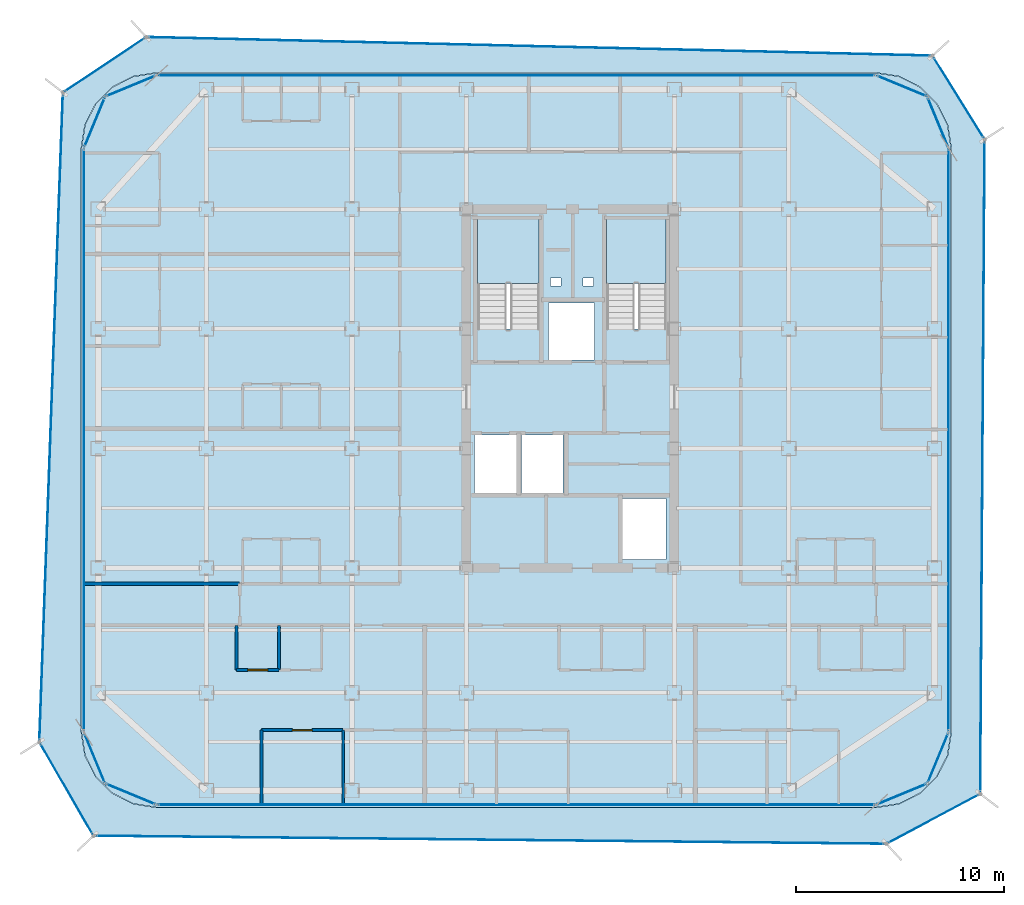
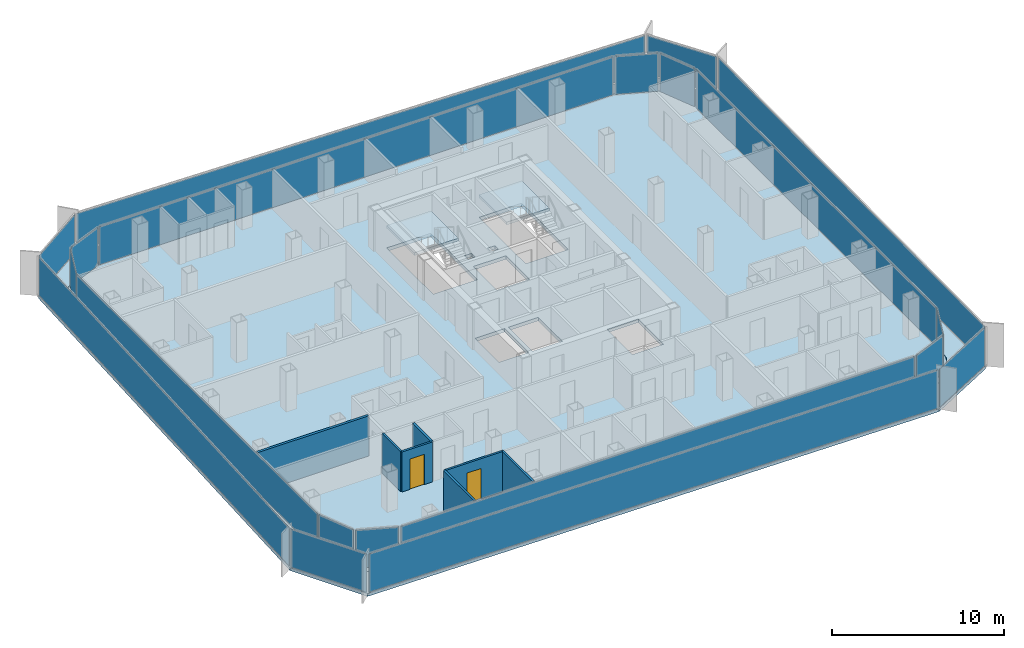
# One storey, part 9 of 16: 20 plates, 7 walls, 4 slabs, 2 doors, 2 openings, 22 elements without a shape of their own.
"""IFC4 building model written with IfcOpenShell, lengths in metres."""

from ifc_helpers import new_model, si_unit, direction, frame, frame_2d, origin, origin_2d, place, context, subcontext, project, spatial, polyline, rectangle, outline, extrude, source, transform, mapped, material, layer, layer_set, type_object, element, fill, aggregate, save


model = new_model("IFC4")

# Units and contexts
model_context = context("Model", 3, precision=1e-05, world=origin(), true_north=direction((0.0, 1.0)))
body_context = subcontext(model_context, "Body", "Model", "MODEL_VIEW")
ifc_project = project(units=[si_unit("LENGTHUNIT", "METRE"), si_unit("AREAUNIT", "SQUARE_METRE"), si_unit("VOLUMEUNIT", "CUBIC_METRE"), si_unit("PLANEANGLEUNIT", "RADIAN"), si_unit("MASSUNIT", "GRAM", prefix="KILO")], contexts=[model_context])

# Site, building, storey
site_placement = place(None, origin())
site = spatial("IfcSite", under=ifc_project, at=site_placement, CompositionType="ELEMENT")
building_placement = place(site_placement, origin())
building = spatial("IfcBuilding", under=site, at=building_placement, Name="Kolveth Station Tower", CompositionType="ELEMENT")
storey_placement = place(building_placement, frame((0.0, 0.0, 212.39990234375)))
storey = spatial("IfcBuildingStorey", under=building, at=storey_placement, Name="L60", CompositionType="ELEMENT", Elevation=212.39990234375)

# Slab
ifc_material_1 = material(Name="Concrete C40/50", Category="concrete")
ifc_layer_1 = layer(ifc_material_1, 0.25)
ifc_layer_set_1 = layer_set([ifc_layer_1], Name="Concrete C40/50")
slab_type_1 = type_object("IfcSlabType", Name="Slab_SF-250", PredefinedType="FLOOR", material=ifc_layer_set_1)
slab_1_placement = place(storey_placement, frame((0.0, 0.0, -0.25)))
element("IfcSlab", 1, at=slab_1_placement, inside=storey, type_object=slab_type_1, Name="L60 Tower Structural Floor Slab", PredefinedType="FLOOR", context=body_context, shape_type="SweptSolid", body=[
    extrude(outline(polyline([(38.199951171875, 0.0), (39.3125, 0.17626953125), (40.31591796875, 0.6875), (41.112548828125, 1.48388671875), (41.623779296875, 2.487548828125), (41.800048828125, 3.60009765625), (41.800048828125, 31.699951171875), (41.623779296875, 32.8125), (41.112548828125, 33.81591796875), (40.31591796875, 34.612548828125), (39.3125, 35.123779296875), (38.199951171875, 35.300048828125), (3.60009765625, 35.300048828125), (2.487548828125, 35.123779296875), (1.48388671875, 34.612548828125), (0.6875, 33.81591796875), (0.17626953125, 32.8125), (0.0, 31.699951171875), (0.0, 3.60009765625), (0.17626953125, 2.487548828125), (0.6875, 1.48388671875), (1.48388671875, 0.6875), (2.487548828125, 0.17626953125), (3.60009765625, 0.0), (38.199951171875, 0.0)]), holes=[polyline([(19.0400390625, 22.985107421875), (22.0, 22.985107421875), (22.0, 28.39990234375), (19.0400390625, 28.39990234375), (19.0400390625, 22.985107421875)]), polyline([(25.239990234375, 22.985107421875), (28.10009765625, 22.985107421875), (28.10009765625, 28.39990234375), (25.239990234375, 28.39990234375), (25.239990234375, 22.985107421875)]), polyline([(18.89990234375, 15.10009765625), (20.89990234375, 15.10009765625), (20.89990234375, 17.89990234375), (18.89990234375, 17.89990234375), (18.89990234375, 15.10009765625)]), polyline([(21.14990234375, 15.10009765625), (23.14990234375, 15.10009765625), (23.14990234375, 17.89990234375), (21.14990234375, 17.89990234375), (21.14990234375, 15.10009765625)]), polyline([(22.449951171875, 21.5), (24.64990234375, 21.5), (24.64990234375, 24.25), (22.449951171875, 24.25), (22.449951171875, 21.5)]), polyline([(26.0, 11.89990234375), (28.10009765625, 11.89990234375), (28.10009765625, 14.85009765625), (26.0, 14.85009765625), (26.0, 11.89990234375)]), polyline([(22.550048828125, 25.050048828125), (23.050048828125, 25.050048828125), (23.050048828125, 25.449951171875), (22.550048828125, 25.449951171875), (22.550048828125, 25.050048828125)]), polyline([(24.10009765625, 25.050048828125), (24.60009765625, 25.050048828125), (24.60009765625, 25.449951171875), (24.10009765625, 25.449951171875), (24.10009765625, 25.050048828125)])]), origin(), (0.0, 0.0, 1.0), 0.25),
])

# Stair, slab
stair_type_1 = type_object("IfcStairType", Name="Stair_ST2", PredefinedType="HALF_TURN_STAIR", material=ifc_material_1)
stair_1_placement = place(storey_placement, origin())
stair_1 = element("IfcStair", 2, at=stair_1_placement, inside=storey, type_object=stair_type_1, Name="L60 Tower Exit Stair ST2", PredefinedType="HALF_TURN_STAIR")
ifc_layer_2 = layer(ifc_material_1, 0.18994140625)
ifc_layer_set_2 = layer_set([ifc_layer_2], Name="Concrete C40/50")
slab_type_2 = type_object("IfcSlabType", Name="Slab_SL-190", PredefinedType="LANDING", material=ifc_layer_set_2)
slab_2_placement = place(storey_placement, frame((0.0, 0.0, 1.400146484375)))
slab_2 = element("IfcSlab", 3, at=slab_2_placement, type_object=slab_type_2, Name="ST2 landing 1", PredefinedType="LANDING", context=body_context, shape_type="SweptSolid", body=[
    extrude(outline(polyline([(28.10009765625, 25.18994140625), (28.10009765625, 28.39990234375), (25.239990234375, 28.39990234375), (25.239990234375, 25.18994140625), (28.10009765625, 25.18994140625)])), origin(), (0.0, 0.0, 1.0), 0.199951171875),
])
aggregate(stair_1, [slab_2])

stair_type_2 = type_object("IfcStairType", Name="Stair_ST1", PredefinedType="HALF_TURN_STAIR", material=ifc_material_1)
stair_2_placement = place(storey_placement, origin())
stair_2 = element("IfcStair", 4, at=stair_2_placement, inside=storey, type_object=stair_type_2, Name="L60 Tower Exit Stair ST1", PredefinedType="HALF_TURN_STAIR")
ifc_layer_3 = layer(ifc_material_1, 0.205078125)
ifc_layer_set_3 = layer_set([ifc_layer_3], Name="Concrete C40/50")
slab_type_3 = type_object("IfcSlabType", Name="Slab_SL-205", PredefinedType="LANDING", material=ifc_layer_set_3)
slab_3_placement = place(storey_placement, frame((0.0, 0.0, 1.400146484375)))
slab_3 = element("IfcSlab", 5, at=slab_3_placement, type_object=slab_type_3, Name="ST1 landing 1", PredefinedType="LANDING", context=body_context, shape_type="SweptSolid", body=[
    extrude(outline(polyline([(22.0, 25.18994140625), (22.0, 28.39990234375), (19.0400390625, 28.39990234375), (19.0400390625, 25.18994140625), (22.0, 25.18994140625)])), origin(), (0.0, 0.0, 1.0), 0.199951171875),
])
aggregate(stair_2, [slab_3])

# Slab
ifc_layer_4 = layer(ifc_material_1, 0.2099609375)
ifc_layer_set_4 = layer_set([ifc_layer_4], Name="Concrete C40/50")
slab_type_4 = type_object("IfcSlabType", Name="Slab_ST-210", PredefinedType="FLOOR", material=ifc_layer_set_4)
slab_4_placement = place(storey_placement, frame((0.0, 0.0, -0.2099609375)))
element("IfcSlab", 6, at=slab_4_placement, inside=storey, type_object=slab_type_4, Name="L60 Double-Skin Cavity Structural Ledger Ring", PredefinedType="FLOOR", context=body_context, shape_type="SweptSolid", body=[
    extrude(outline(polyline([(0.5791015625, -1.37109375), (-2.02490234375, 3.142822265625), (-0.89111328125, 34.360595703125), (3.1123046875, 37.0234375), (40.9111328125, 36.128662109375), (43.416015625, 32.10595703125), (43.20654296875, 0.643310546875), (38.69189453125, -1.759033203125), (0.5791015625, -1.37109375)]), holes=[polyline([(38.202392578125, -0.014892578125), (39.314697265625, 0.161376953125), (39.3193359375, 0.162841796875), (40.32275390625, 0.674072265625), (40.32666015625, 0.677001953125), (41.123046875, 1.473388671875), (41.1259765625, 1.477294921875), (41.63720703125, 2.480712890625), (41.638671875, 2.485107421875), (41.814697265625, 3.59765625), (41.81494140625, 3.60009765625), (41.81494140625, 31.699951171875), (41.814697265625, 31.702392578125), (41.638671875, 32.814697265625), (41.63720703125, 32.8193359375), (41.1259765625, 33.82275390625), (41.123046875, 33.82666015625), (40.32666015625, 34.623046875), (40.32275390625, 34.6259765625), (39.3193359375, 35.13720703125), (39.314697265625, 35.138671875), (38.202392578125, 35.314697265625), (38.199951171875, 35.31494140625), (3.60009765625, 35.31494140625), (3.59765625, 35.314697265625), (2.485107421875, 35.138671875), (2.480712890625, 35.13720703125), (1.477294921875, 34.6259765625), (1.473388671875, 34.623046875), (0.677001953125, 33.82666015625), (0.674072265625, 33.82275390625), (0.162841796875, 32.8193359375), (0.161376953125, 32.814697265625), (-0.014892578125, 31.702392578125), (-0.014892578125, 31.699951171875), (-0.014892578125, 3.60009765625), (-0.014892578125, 3.59765625), (0.161376953125, 2.485107421875), (0.162841796875, 2.480712890625), (0.674072265625, 1.477294921875), (0.677001953125, 1.473388671875), (1.473388671875, 0.677001953125), (1.477294921875, 0.674072265625), (2.480712890625, 0.162841796875), (2.485107421875, 0.161376953125), (3.59765625, -0.014892578125), (3.60009765625, -0.014892578125), (38.199951171875, -0.014892578125), (38.202392578125, -0.014892578125)])]), origin(), (0.0, 0.0, 1.0), 0.2099609375),
])

# Curtain wall, plate
ifc_material_2 = material(Name="Aluminium 6063-T6 and low-E dark glass", Category="aluminium")
ifc_layer_5 = layer(ifc_material_2, 0.18994140625)
ifc_layer_set_5 = layer_set([ifc_layer_5], Name="Aluminium 6063-T6 and low-E dark glass")
curtain_wall_type_1 = type_object("IfcCurtainWallType", Name="CurtainWall_CW-Z2", PredefinedType="NOTDEFINED", material=ifc_layer_set_5)
curtain_wall_1_placement = place(storey_placement, origin())
curtain_wall_1 = element("IfcCurtainWall", 7, at=curtain_wall_1_placement, inside=storey, type_object=curtain_wall_type_1, Name="L60 Inner Thermal Curtain Wall 1", PredefinedType="NOTDEFINED")
ifc_material_3 = material(Name="Architectural low-E dark glass", Category="glass")
ifc_layer_6 = layer(ifc_material_3, 0.0380859375)
ifc_layer_set_6 = layer_set([ifc_layer_6], Name="Architectural low-E dark glass")
plate_type_1 = type_object("IfcPlateType", Name="Panel_GL2", PredefinedType="CURTAIN_PANEL", material=ifc_layer_set_6)
shared_shape_1 = source(origin(), body_context, "Body", "SweptSolid", [
    extrude(rectangle(XDim=2.517578125, YDim=0.0380859375, at=origin_2d()), origin(), (0.0, 0.0, 1.0), 2.694091796875),
])
plate_1_placement = place(storey_placement, frame((39.430419921875, 0.629638671875, 0.0732421875), z_axis=(0.0, 0.0, 1.0), x_axis=(0.923873600544, 0.382697753087, 0.0)))
plate_1 = element("IfcPlate", 8, at=plate_1_placement, type_object=plate_type_1, Name="CW-Z2 panel 1.1", PredefinedType="CURTAIN_PANEL", context=body_context, shape_type="MappedRepresentation", body=[
    mapped(shared_shape_1, transform((0.0, 0.0, 0.0), x_axis=(1.0, 0.0, 0.0), y_axis=(0.0, 1.0, 0.0), z_axis=(0.0, 0.0, 1.0), scale=1.0)),
])
aggregate(curtain_wall_1, [plate_1])

curtain_wall_2_placement = place(storey_placement, origin())
curtain_wall_2 = element("IfcCurtainWall", 9, at=curtain_wall_2_placement, inside=storey, type_object=curtain_wall_type_1, Name="L60 Inner Thermal Curtain Wall 2", PredefinedType="NOTDEFINED")
plate_2_placement = place(storey_placement, frame((41.17041015625, 2.36962890625, 0.0732421875), z_axis=(0.0, 0.0, 1.0), x_axis=(0.382697753087, 0.923873600544, 0.0)))
plate_2 = element("IfcPlate", 10, at=plate_2_placement, type_object=plate_type_1, Name="CW-Z2 panel 1.1", PredefinedType="CURTAIN_PANEL", context=body_context, shape_type="MappedRepresentation", body=[
    mapped(shared_shape_1, transform((0.0, 0.0, 0.0), x_axis=(1.0, 0.0, 0.0), y_axis=(0.0, 1.0, 0.0), z_axis=(0.0, 0.0, 1.0), scale=1.0)),
])
aggregate(curtain_wall_2, [plate_2])

curtain_wall_3_placement = place(storey_placement, origin())
curtain_wall_3 = element("IfcCurtainWall", 11, at=curtain_wall_3_placement, inside=storey, type_object=curtain_wall_type_1, Name="L60 Inner Thermal Curtain Wall 4", PredefinedType="NOTDEFINED")
plate_3_placement = place(storey_placement, frame((41.17041015625, 32.930419921875, 0.0732421875), z_axis=(0.0, 0.0, 1.0), x_axis=(-0.382697753087, 0.923873600544, 0.0)))
plate_3 = element("IfcPlate", 12, at=plate_3_placement, type_object=plate_type_1, Name="CW-Z2 panel 1.1", PredefinedType="CURTAIN_PANEL", context=body_context, shape_type="MappedRepresentation", body=[
    mapped(shared_shape_1, transform((0.0, 0.0, 0.0), x_axis=(1.0, 0.0, 0.0), y_axis=(0.0, 1.0, 0.0), z_axis=(0.0, 0.0, 1.0), scale=1.0)),
])
aggregate(curtain_wall_3, [plate_3])

curtain_wall_4_placement = place(storey_placement, origin())
curtain_wall_4 = element("IfcCurtainWall", 13, at=curtain_wall_4_placement, inside=storey, type_object=curtain_wall_type_1, Name="L60 Inner Thermal Curtain Wall 5", PredefinedType="NOTDEFINED")
plate_4_placement = place(storey_placement, frame((39.430419921875, 34.67041015625, 0.0732421875), z_axis=(0.0, 0.0, 1.0), x_axis=(-0.923873600544, 0.382697753087, 0.0)))
plate_4 = element("IfcPlate", 14, at=plate_4_placement, type_object=plate_type_1, Name="CW-Z2 panel 1.1", PredefinedType="CURTAIN_PANEL", context=body_context, shape_type="MappedRepresentation", body=[
    mapped(shared_shape_1, transform((0.0, 0.0, 0.0), x_axis=(1.0, 0.0, 0.0), y_axis=(0.0, 1.0, 0.0), z_axis=(0.0, 0.0, 1.0), scale=1.0)),
])
aggregate(curtain_wall_4, [plate_4])

curtain_wall_5_placement = place(storey_placement, origin())
curtain_wall_5 = element("IfcCurtainWall", 15, at=curtain_wall_5_placement, inside=storey, type_object=curtain_wall_type_1, Name="L60 Inner Thermal Curtain Wall 7", PredefinedType="NOTDEFINED")
plate_5_placement = place(storey_placement, frame((2.36962890625, 34.67041015625, 0.0732421875), z_axis=(0.0, 0.0, 1.0), x_axis=(-0.923873600544, -0.382697753087, 0.0)))
plate_5 = element("IfcPlate", 16, at=plate_5_placement, type_object=plate_type_1, Name="CW-Z2 panel 1.1", PredefinedType="CURTAIN_PANEL", context=body_context, shape_type="MappedRepresentation", body=[
    mapped(shared_shape_1, transform((0.0, 0.0, 0.0), x_axis=(1.0, 0.0, 0.0), y_axis=(0.0, 1.0, 0.0), z_axis=(0.0, 0.0, 1.0), scale=1.0)),
])
aggregate(curtain_wall_5, [plate_5])

curtain_wall_6_placement = place(storey_placement, origin())
curtain_wall_6 = element("IfcCurtainWall", 17, at=curtain_wall_6_placement, inside=storey, type_object=curtain_wall_type_1, Name="L60 Inner Thermal Curtain Wall 8", PredefinedType="NOTDEFINED")
plate_6_placement = place(storey_placement, frame((0.629638671875, 32.930419921875, 0.0732421875), z_axis=(0.0, 0.0, 1.0), x_axis=(-0.382697753087, -0.923873600544, 0.0)))
plate_6 = element("IfcPlate", 18, at=plate_6_placement, type_object=plate_type_1, Name="CW-Z2 panel 1.1", PredefinedType="CURTAIN_PANEL", context=body_context, shape_type="MappedRepresentation", body=[
    mapped(shared_shape_1, transform((0.0, 0.0, 0.0), x_axis=(1.0, 0.0, 0.0), y_axis=(0.0, 1.0, 0.0), z_axis=(0.0, 0.0, 1.0), scale=1.0)),
])
aggregate(curtain_wall_6, [plate_6])

curtain_wall_7_placement = place(storey_placement, origin())
curtain_wall_7 = element("IfcCurtainWall", 19, at=curtain_wall_7_placement, inside=storey, type_object=curtain_wall_type_1, Name="L60 Inner Thermal Curtain Wall 10", PredefinedType="NOTDEFINED")
plate_7_placement = place(storey_placement, frame((0.629638671875, 2.36962890625, 0.0732421875), z_axis=(0.0, 0.0, 1.0), x_axis=(0.382697753087, -0.923873600544, 0.0)))
plate_7 = element("IfcPlate", 20, at=plate_7_placement, type_object=plate_type_1, Name="CW-Z2 panel 1.1", PredefinedType="CURTAIN_PANEL", context=body_context, shape_type="MappedRepresentation", body=[
    mapped(shared_shape_1, transform((0.0, 0.0, 0.0), x_axis=(1.0, 0.0, 0.0), y_axis=(0.0, 1.0, 0.0), z_axis=(0.0, 0.0, 1.0), scale=1.0)),
])
aggregate(curtain_wall_7, [plate_7])

curtain_wall_8_placement = place(storey_placement, origin())
curtain_wall_8 = element("IfcCurtainWall", 21, at=curtain_wall_8_placement, inside=storey, type_object=curtain_wall_type_1, Name="L60 Inner Thermal Curtain Wall 11", PredefinedType="NOTDEFINED")
plate_8_placement = place(storey_placement, frame((2.36962890625, 0.629638671875, 0.0732421875), z_axis=(0.0, 0.0, 1.0), x_axis=(0.923873600544, -0.382697753087, 0.0)))
plate_8 = element("IfcPlate", 22, at=plate_8_placement, type_object=plate_type_1, Name="CW-Z2 panel 1.1", PredefinedType="CURTAIN_PANEL", context=body_context, shape_type="MappedRepresentation", body=[
    mapped(shared_shape_1, transform((0.0, 0.0, 0.0), x_axis=(1.0, 0.0, 0.0), y_axis=(0.0, 1.0, 0.0), z_axis=(0.0, 0.0, 1.0), scale=1.0)),
])
aggregate(curtain_wall_8, [plate_8])

curtain_wall_9_placement = place(storey_placement, origin())
curtain_wall_9 = element("IfcCurtainWall", 23, at=curtain_wall_9_placement, inside=storey, type_object=curtain_wall_type_1, Name="L60 Inner Thermal Curtain Wall 3", PredefinedType="NOTDEFINED")
shared_shape_2 = source(origin(), body_context, "Body", "SweptSolid", [
    extrude(rectangle(XDim=27.9541015625, YDim=0.0380859375, at=origin_2d()), origin(), (0.0, 0.0, 1.0), 2.694091796875),
])
plate_9_placement = place(storey_placement, frame((41.679931640625, 17.64990234375, 0.0732421875), z_axis=(0.0, 0.0, 1.0), x_axis=(0.0, 1.0, 0.0)))
plate_9 = element("IfcPlate", 24, at=plate_9_placement, type_object=plate_type_1, Name="CW-Z2 panel 1.1", PredefinedType="CURTAIN_PANEL", context=body_context, shape_type="MappedRepresentation", body=[
    mapped(shared_shape_2, transform((0.0, 0.0, 0.0), x_axis=(1.0, 0.0, 0.0), y_axis=(0.0, 1.0, 0.0), z_axis=(0.0, 0.0, 1.0), scale=1.0)),
])
aggregate(curtain_wall_9, [plate_9])

curtain_wall_10_placement = place(storey_placement, origin())
curtain_wall_10 = element("IfcCurtainWall", 25, at=curtain_wall_10_placement, inside=storey, type_object=curtain_wall_type_1, Name="L60 Inner Thermal Curtain Wall 9", PredefinedType="NOTDEFINED")
plate_10_placement = place(storey_placement, frame((0.1201171875, 17.64990234375, 0.0732421875), z_axis=(0.0, 0.0, 1.0), x_axis=(0.0, -1.0, 0.0)))
plate_10 = element("IfcPlate", 26, at=plate_10_placement, type_object=plate_type_1, Name="CW-Z2 panel 1.1", PredefinedType="CURTAIN_PANEL", context=body_context, shape_type="MappedRepresentation", body=[
    mapped(shared_shape_2, transform((0.0, 0.0, 0.0), x_axis=(1.0, 0.0, 0.0), y_axis=(0.0, 1.0, 0.0), z_axis=(0.0, 0.0, 1.0), scale=1.0)),
])
aggregate(curtain_wall_10, [plate_10])

curtain_wall_11_placement = place(storey_placement, origin())
curtain_wall_11 = element("IfcCurtainWall", 27, at=curtain_wall_11_placement, inside=storey, type_object=curtain_wall_type_1, Name="L60 Inner Thermal Curtain Wall 6", PredefinedType="NOTDEFINED")
shared_shape_3 = source(origin(), body_context, "Body", "SweptSolid", [
    extrude(rectangle(XDim=34.4541015625, YDim=0.0380859375, at=origin_2d()), origin(), (0.0, 0.0, 1.0), 2.694091796875),
])
plate_11_placement = place(storey_placement, frame((20.89990234375, 35.179931640625, 0.0732421875), z_axis=(0.0, 0.0, 1.0), x_axis=(-1.0, 0.0, 0.0)))
plate_11 = element("IfcPlate", 28, at=plate_11_placement, type_object=plate_type_1, Name="CW-Z2 panel 1.1", PredefinedType="CURTAIN_PANEL", context=body_context, shape_type="MappedRepresentation", body=[
    mapped(shared_shape_3, transform((0.0, 0.0, 0.0), x_axis=(1.0, 0.0, 0.0), y_axis=(0.0, 1.0, 0.0), z_axis=(0.0, 0.0, 1.0), scale=1.0)),
])
aggregate(curtain_wall_11, [plate_11])

curtain_wall_12_placement = place(storey_placement, origin())
curtain_wall_12 = element("IfcCurtainWall", 29, at=curtain_wall_12_placement, inside=storey, type_object=curtain_wall_type_1, Name="L60 Inner Thermal Curtain Wall 12", PredefinedType="NOTDEFINED")
plate_12_placement = place(storey_placement, frame((20.89990234375, 0.1201171875, 0.0732421875), z_axis=(0.0, 0.0, 1.0), x_axis=(1.0, 0.0, 0.0)))
plate_12 = element("IfcPlate", 30, at=plate_12_placement, type_object=plate_type_1, Name="CW-Z2 panel 1.1", PredefinedType="CURTAIN_PANEL", context=body_context, shape_type="MappedRepresentation", body=[
    mapped(shared_shape_3, transform((0.0, 0.0, 0.0), x_axis=(1.0, 0.0, 0.0), y_axis=(0.0, 1.0, 0.0), z_axis=(0.0, 0.0, 1.0), scale=1.0)),
])
aggregate(curtain_wall_12, [plate_12])

ifc_material_4 = material(Name="Black anodized aluminium 6063-T6 and dark solar glass", Category="aluminium")
ifc_layer_7 = layer(ifc_material_4, 0.159912109375)
ifc_layer_set_7 = layer_set([ifc_layer_7], Name="Black anodized aluminium 6063-T6 and dark solar glass")
curtain_wall_type_2 = type_object("IfcCurtainWallType", Name="OUTER SKIN CW-OS", PredefinedType="NOTDEFINED", material=ifc_layer_set_7)
curtain_wall_13_placement = place(storey_placement, origin())
curtain_wall_13 = element("IfcCurtainWall", 31, at=curtain_wall_13_placement, inside=storey, type_object=curtain_wall_type_2, Name="L60 Outer Ventilated Skin Curtain Wall 1", PredefinedType="NOTDEFINED")
ifc_layer_8 = layer(ifc_material_3, 0.028076171875)
ifc_layer_set_8 = layer_set([ifc_layer_8], Name="Architectural low-E dark glass")
plate_type_2 = type_object("IfcPlateType", Name="Panel_GL-OS", PredefinedType="CURTAIN_PANEL", material=ifc_layer_set_8)
shared_shape_4 = source(origin(), body_context, "Body", "SweptSolid", [
    extrude(rectangle(XDim=4.947998046875, YDim=0.028076171875, at=origin_2d()), origin(), (0.0, 0.0, 1.0), 2.694091796875),
])
plate_13_placement = place(storey_placement, frame((40.94921875, -0.557861328125, 0.0732421875), z_axis=(0.0, 0.0, 1.0), x_axis=(0.88278992265, 0.469767977268, 0.0)))
plate_13 = element("IfcPlate", 32, at=plate_13_placement, type_object=plate_type_2, Name="CW-OS panel 1.1", PredefinedType="CURTAIN_PANEL", context=body_context, shape_type="MappedRepresentation", body=[
    mapped(shared_shape_4, transform((0.0, 0.0, 0.0), x_axis=(1.0, 0.0, 0.0), y_axis=(0.0, 1.0, 0.0), z_axis=(0.0, 0.0, 1.0), scale=1.0)),
])
aggregate(curtain_wall_13, [plate_13])

curtain_wall_14_placement = place(storey_placement, origin())
curtain_wall_14 = element("IfcCurtainWall", 33, at=curtain_wall_14_placement, inside=storey, type_object=curtain_wall_type_2, Name="L60 Outer Ventilated Skin Curtain Wall 2", PredefinedType="NOTDEFINED")
shared_shape_5 = source(origin(), body_context, "Body", "SweptSolid", [
    extrude(rectangle(XDim=31.29736328125, YDim=0.028076171875, at=origin_2d()), origin(), (0.0, 0.0, 1.0), 2.694091796875),
])
plate_14_placement = place(storey_placement, frame((43.311279296875, 16.374755859375, 0.0732421875), z_axis=(0.0, 0.0, 1.0), x_axis=(0.006655352613, 0.999977852896, 0.0)))
plate_14 = element("IfcPlate", 34, at=plate_14_placement, type_object=plate_type_2, Name="CW-OS panel 1.1", PredefinedType="CURTAIN_PANEL", context=body_context, shape_type="MappedRepresentation", body=[
    mapped(shared_shape_5, transform((0.0, 0.0, 0.0), x_axis=(1.0, 0.0, 0.0), y_axis=(0.0, 1.0, 0.0), z_axis=(0.0, 0.0, 1.0), scale=1.0)),
])
aggregate(curtain_wall_14, [plate_14])

curtain_wall_15_placement = place(storey_placement, origin())
curtain_wall_15 = element("IfcCurtainWall", 35, at=curtain_wall_15_placement, inside=storey, type_object=curtain_wall_type_2, Name="L60 Outer Ventilated Skin Curtain Wall 3", PredefinedType="NOTDEFINED")
shared_shape_6 = source(origin(), body_context, "Body", "SweptSolid", [
    extrude(rectangle(XDim=4.57275390625, YDim=0.028076171875, at=origin_2d()), origin(), (0.0, 0.0, 1.0), 2.694091796875),
])
plate_15_placement = place(storey_placement, frame((42.16357421875, 34.117431640625, 0.0732421875), z_axis=(0.0, 0.0, 1.0), x_axis=(-0.528573659618, 0.848887440335, 0.0)))
plate_15 = element("IfcPlate", 36, at=plate_15_placement, type_object=plate_type_2, Name="CW-OS panel 1.1", PredefinedType="CURTAIN_PANEL", context=body_context, shape_type="MappedRepresentation", body=[
    mapped(shared_shape_6, transform((0.0, 0.0, 0.0), x_axis=(1.0, 0.0, 0.0), y_axis=(0.0, 1.0, 0.0), z_axis=(0.0, 0.0, 1.0), scale=1.0)),
])
aggregate(curtain_wall_15, [plate_15])

curtain_wall_16_placement = place(storey_placement, origin())
curtain_wall_16 = element("IfcCurtainWall", 37, at=curtain_wall_16_placement, inside=storey, type_object=curtain_wall_type_2, Name="L60 Outer Ventilated Skin Curtain Wall 4", PredefinedType="NOTDEFINED")
shared_shape_7 = source(origin(), body_context, "Body", "SweptSolid", [
    extrude(rectangle(XDim=37.643310546875, YDim=0.028076171875, at=origin_2d()), origin(), (0.0, 0.0, 1.0), 2.694091796875),
])
plate_16_placement = place(storey_placement, frame((22.01171875, 36.576171875, 0.0732421875), z_axis=(0.0, 0.0, 1.0), x_axis=(-0.999719919132, 0.023666078914, 0.0)))
plate_16 = element("IfcPlate", 38, at=plate_16_placement, type_object=plate_type_2, Name="CW-OS panel 1.1", PredefinedType="CURTAIN_PANEL", context=body_context, shape_type="MappedRepresentation", body=[
    mapped(shared_shape_7, transform((0.0, 0.0, 0.0), x_axis=(1.0, 0.0, 0.0), y_axis=(0.0, 1.0, 0.0), z_axis=(0.0, 0.0, 1.0), scale=1.0)),
])
aggregate(curtain_wall_16, [plate_16])

curtain_wall_17_placement = place(storey_placement, origin())
curtain_wall_17 = element("IfcCurtainWall", 39, at=curtain_wall_17_placement, inside=storey, type_object=curtain_wall_type_2, Name="L60 Outer Ventilated Skin Curtain Wall 5", PredefinedType="NOTDEFINED")
shared_shape_8 = source(origin(), body_context, "Body", "SweptSolid", [
    extrude(rectangle(XDim=4.642333984375, YDim=0.028076171875, at=origin_2d()), origin(), (0.0, 0.0, 1.0), 2.694091796875),
])
plate_17_placement = place(storey_placement, frame((1.110595703125, 35.69189453125, 0.0732421875), z_axis=(0.0, 0.0, 1.0), x_axis=(-0.832625775152, -0.553836003302, 0.0)))
plate_17 = element("IfcPlate", 40, at=plate_17_placement, type_object=plate_type_2, Name="CW-OS panel 1.1", PredefinedType="CURTAIN_PANEL", context=body_context, shape_type="MappedRepresentation", body=[
    mapped(shared_shape_8, transform((0.0, 0.0, 0.0), x_axis=(1.0, 0.0, 0.0), y_axis=(0.0, 1.0, 0.0), z_axis=(0.0, 0.0, 1.0), scale=1.0)),
])
aggregate(curtain_wall_17, [plate_17])

curtain_wall_18_placement = place(storey_placement, origin())
curtain_wall_18 = element("IfcCurtainWall", 41, at=curtain_wall_18_placement, inside=storey, type_object=curtain_wall_type_2, Name="L60 Outer Ventilated Skin Curtain Wall 6", PredefinedType="NOTDEFINED")
shared_shape_9 = source(origin(), body_context, "Body", "SweptSolid", [
    extrude(rectangle(XDim=31.072265625, YDim=0.028076171875, at=origin_2d()), origin(), (0.0, 0.0, 1.0), 2.694091796875),
])
plate_18_placement = place(storey_placement, frame((-1.4580078125, 18.751708984375, 0.0732421875), z_axis=(0.0, 0.0, 1.0), x_axis=(-0.036292128332, -0.999341223717, 0.0)))
plate_18 = element("IfcPlate", 42, at=plate_18_placement, type_object=plate_type_2, Name="CW-OS panel 1.1", PredefinedType="CURTAIN_PANEL", context=body_context, shape_type="MappedRepresentation", body=[
    mapped(shared_shape_9, transform((0.0, 0.0, 0.0), x_axis=(1.0, 0.0, 0.0), y_axis=(0.0, 1.0, 0.0), z_axis=(0.0, 0.0, 1.0), scale=1.0)),
])
aggregate(curtain_wall_18, [plate_18])

curtain_wall_19_placement = place(storey_placement, origin())
curtain_wall_19 = element("IfcCurtainWall", 43, at=curtain_wall_19_placement, inside=storey, type_object=curtain_wall_type_2, Name="L60 Outer Ventilated Skin Curtain Wall 7", PredefinedType="NOTDEFINED")
shared_shape_10 = source(origin(), body_context, "Body", "SweptSolid", [
    extrude(rectangle(XDim=5.045166015625, YDim=0.028076171875, at=origin_2d()), origin(), (0.0, 0.0, 1.0), 2.694091796875),
])
plate_19_placement = place(storey_placement, frame((-0.722900390625, 0.885986328125, 0.0732421875), z_axis=(0.0, 0.0, 1.0), x_axis=(0.499660431899, -0.866221364776, 0.0)))
plate_19 = element("IfcPlate", 44, at=plate_19_placement, type_object=plate_type_2, Name="CW-OS panel 1.1", PredefinedType="CURTAIN_PANEL", context=body_context, shape_type="MappedRepresentation", body=[
    mapped(shared_shape_10, transform((0.0, 0.0, 0.0), x_axis=(1.0, 0.0, 0.0), y_axis=(0.0, 1.0, 0.0), z_axis=(0.0, 0.0, 1.0), scale=1.0)),
])
aggregate(curtain_wall_19, [plate_19])

curtain_wall_20_placement = place(storey_placement, origin())
curtain_wall_20 = element("IfcCurtainWall", 45, at=curtain_wall_20_placement, inside=storey, type_object=curtain_wall_type_2, Name="L60 Outer Ventilated Skin Curtain Wall 8", PredefinedType="NOTDEFINED")
shared_shape_11 = source(origin(), body_context, "Body", "SweptSolid", [
    extrude(rectangle(XDim=37.948974609375, YDim=0.028076171875, at=origin_2d()), origin(), (0.0, 0.0, 1.0), 2.694091796875),
])
plate_20_placement = place(storey_placement, frame((19.635498046875, -1.565185546875, 0.0732421875), z_axis=(0.0, 0.0, 1.0), x_axis=(0.999948185247, -0.010179725976, 0.0)))
plate_20 = element("IfcPlate", 46, at=plate_20_placement, type_object=plate_type_2, Name="CW-OS panel 1.1", PredefinedType="CURTAIN_PANEL", context=body_context, shape_type="MappedRepresentation", body=[
    mapped(shared_shape_11, transform((0.0, 0.0, 0.0), x_axis=(1.0, 0.0, 0.0), y_axis=(0.0, 1.0, 0.0), z_axis=(0.0, 0.0, 1.0), scale=1.0)),
])
aggregate(curtain_wall_20, [plate_20])

# Wall, opening, door
ifc_material_5 = material(Name="Moisture-resistant gypsum partition")
ifc_layer_9 = layer(ifc_material_5, 0.135009765625)
ifc_layer_set_9 = layer_set([ifc_layer_9], Name="Moisture-resistant gypsum partition")
wall_type_1 = type_object("IfcWallType", Name="Wall_IW-135", PredefinedType="PARTITIONING", material=ifc_layer_set_9)
wall_1_placement = place(storey_placement, frame((7.449951171875, 6.60009765625, 0.0), z_axis=(0.0, 0.0, 1.0), x_axis=(1.0, 0.0, 0.0)))
wall_1 = element("IfcWall", 47, at=wall_1_placement, inside=storey, type_object=wall_type_1, Name="L60 Partition Wall WL-L60-A1-IBHK", PredefinedType="PARTITIONING", context=body_context, shape_type="SweptSolid", body=[
    extrude(rectangle(XDim=2.050048828125, YDim=0.135009765625, at=frame_2d((1.02490234375, 0.0))), origin(), (0.0, 0.0, 1.0), 2.840087890625),
])
opening_1_placement = place(wall_1_placement, frame((0.544921875, 0.0, 0.0)))
opening_1 = element("IfcOpeningElement", 48, at=opening_1_placement, cuts=wall_1, Name="Opening ID1", PredefinedType="OPENING", context=body_context, shape_type="SweptSolid", body=[
    extrude(rectangle(XDim=0.949951171875, YDim=2.14990234375, at=frame_2d((0.47509765625, 1.074951171875))), frame((0.0, 0.077392578125, 0.0), z_axis=(0.0, -1.0, 0.0), x_axis=(1.0, 0.0, 0.0)), (0.0, 0.0, 1.0), 0.155029296875),
])
ifc_material_6 = material(Name="Acoustic hardwood leaf and aluminium frame", Category="wood")
door_type = type_object("IfcDoorType", Name="Door_ID1", OperationType="NOTDEFINED", PredefinedType="DOOR", material=ifc_material_6)
door_1_placement = place(opening_1_placement, origin())
door_1 = element("IfcDoor", 49, at=door_1_placement, inside=storey, type_object=door_type, Name="Penthouse Flat L60-A1 Kitchen Door", OperationType="SINGLE_SWING_LEFT", OverallHeight=2.14990234375, OverallWidth=0.949951171875, PredefinedType="DOOR", context=body_context, shape_type="SweptSolid", body=[
    extrude(rectangle(XDim=0.949951171875, YDim=2.14990234375, at=frame_2d((0.47509765625, 1.074951171875))), frame((0.0, 0.02490234375, 0.0), z_axis=(0.0, -1.0, 0.0), x_axis=(1.0, 0.0, 0.0)), (0.0, 0.0, 1.0), 0.050048828125),
])
fill(opening_1, door_1)

# Walls
for number, where, z_axis, x_axis, name in (
    (50, (7.449951171875, 6.60009765625, 0.0), (0.0, 0.0, 1.0), (0.0, 1.0, 0.0), "L60 Partition Wall WL-L60-A1-IBV0"),
    (51, (9.5, 6.60009765625, 0.0), (0.0, 0.0, 1.0), (0.0, 1.0, 0.0), "L60 Partition Wall WL-L60-A1-IBV1"),
):
    element("IfcWall", number, at=place(storey_placement, frame(where, z_axis=z_axis, x_axis=x_axis)), inside=storey, type_object=wall_type_1, Name=name, PredefinedType="PARTITIONING", context=body_context, shape_type="SweptSolid", body=[
        extrude(rectangle(XDim=2.14990234375, YDim=0.135009765625, at=frame_2d((1.074951171875, 0.0))), origin(), (0.0, 0.0, 1.0), 2.840087890625),
    ])
wall_2_placement = place(storey_placement, frame((8.656982421875, 0.159912109375, 0.0), z_axis=(0.0, 0.0, 1.0), x_axis=(0.0, 1.0, 0.0)))
element("IfcWall", 52, at=wall_2_placement, inside=storey, type_object=wall_type_1, Name="L60 Partition Wall WL-L60-A1-BDV0", PredefinedType="PARTITIONING", context=body_context, shape_type="SweptSolid", body=[
    extrude(rectangle(XDim=3.550048828125, YDim=0.135009765625, at=frame_2d((1.77490234375, 0.0))), origin(), (0.0, 0.0, 1.0), 2.840087890625),
])

# Wall, opening, door
wall_3_placement = place(storey_placement, frame((8.656982421875, 3.7099609375, 0.0), z_axis=(0.0, 0.0, 1.0), x_axis=(1.0, 0.0, 0.0)))
wall_3 = element("IfcWall", 53, at=wall_3_placement, inside=storey, type_object=wall_type_1, Name="L60 Partition Wall WL-L60-A1-BDH1", PredefinedType="PARTITIONING", context=body_context, shape_type="SweptSolid", body=[
    extrude(rectangle(XDim=3.921630859375, YDim=0.135009765625, at=frame_2d((1.9609375, 0.0))), origin(), (0.0, 0.0, 1.0), 2.840087890625),
])
opening_2_placement = place(wall_3_placement, frame((1.48095703125, 0.0, 0.0)))
opening_2 = element("IfcOpeningElement", 54, at=opening_2_placement, cuts=wall_3, Name="Opening ID1", PredefinedType="OPENING", context=body_context, shape_type="SweptSolid", body=[
    extrude(rectangle(XDim=0.949951171875, YDim=2.14990234375, at=frame_2d((0.47509765625, 1.074951171875))), frame((0.0, 0.077392578125, 0.0), z_axis=(0.0, -1.0, 0.0), x_axis=(1.0, 0.0, 0.0)), (0.0, 0.0, 1.0), 0.155029296875),
])
door_2_placement = place(opening_2_placement, frame((0.949951171875, 0.0, 0.0), z_axis=(0.0, 0.0, 1.0), x_axis=(-1.0, 0.0, 0.0)))
door_2 = element("IfcDoor", 55, at=door_2_placement, inside=storey, type_object=door_type, Name="Penthouse Flat L60-A1 Bedroom 1 Door", OperationType="SINGLE_SWING_LEFT", OverallHeight=2.14990234375, OverallWidth=0.949951171875, PredefinedType="DOOR", context=body_context, shape_type="SweptSolid", body=[
    extrude(rectangle(XDim=0.949951171875, YDim=2.14990234375, at=frame_2d((0.47509765625, 1.074951171875))), frame((0.0, 0.02490234375, 0.0), z_axis=(0.0, -1.0, 0.0), x_axis=(1.0, 0.0, 0.0)), (0.0, 0.0, 1.0), 0.050048828125),
])
fill(opening_2, door_2)

# Walls
wall_4_placement = place(storey_placement, frame((12.57861328125, 0.159912109375, 0.0), z_axis=(0.0, 0.0, 1.0), x_axis=(0.0, 1.0, 0.0)))
element("IfcWall", 56, at=wall_4_placement, inside=storey, type_object=wall_type_1, Name="L60 Partition Wall WL-L60-A1-BDV1", PredefinedType="PARTITIONING", context=body_context, shape_type="SweptSolid", body=[
    extrude(rectangle(XDim=3.550048828125, YDim=0.135009765625, at=frame_2d((1.77490234375, 0.0))), origin(), (0.0, 0.0, 1.0), 2.840087890625),
])
ifc_material_7 = material(Name="Acoustic double-stud gypsum partition")
ifc_layer_10 = layer(ifc_material_7, 0.1650390625)
ifc_layer_set_10 = layer_set([ifc_layer_10], Name="Acoustic double-stud gypsum partition")
wall_type_2 = type_object("IfcWallType", Name="Wall_IW-165", PredefinedType="PARTITIONING", material=ifc_layer_set_10)
wall_5_placement = place(storey_placement, frame((0.159912109375, 10.75, 0.0), z_axis=(0.0, 0.0, 1.0), x_axis=(1.0, 0.0, 0.0)))
element("IfcWall", 57, at=wall_5_placement, inside=storey, type_object=wall_type_2, Name="L60 Partition Wall WL-L60-WSTN", PredefinedType="PARTITIONING", context=body_context, shape_type="SweptSolid", body=[
    extrude(rectangle(XDim=7.440185546875, YDim=0.1650390625, at=frame_2d((3.72021484375, 0.0))), origin(), (0.0, 0.0, 1.0), 2.840087890625),
])

save(model, "model.ifc")
